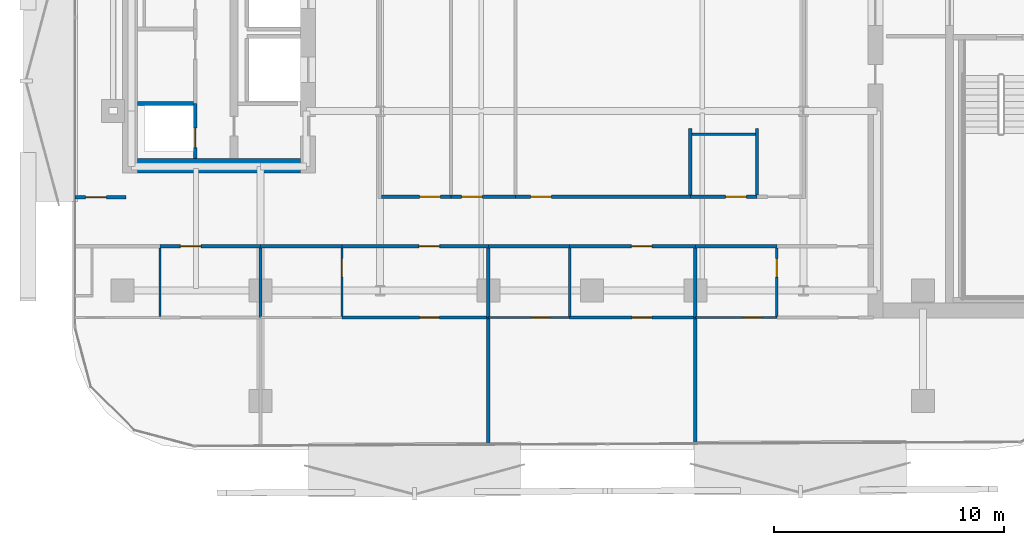
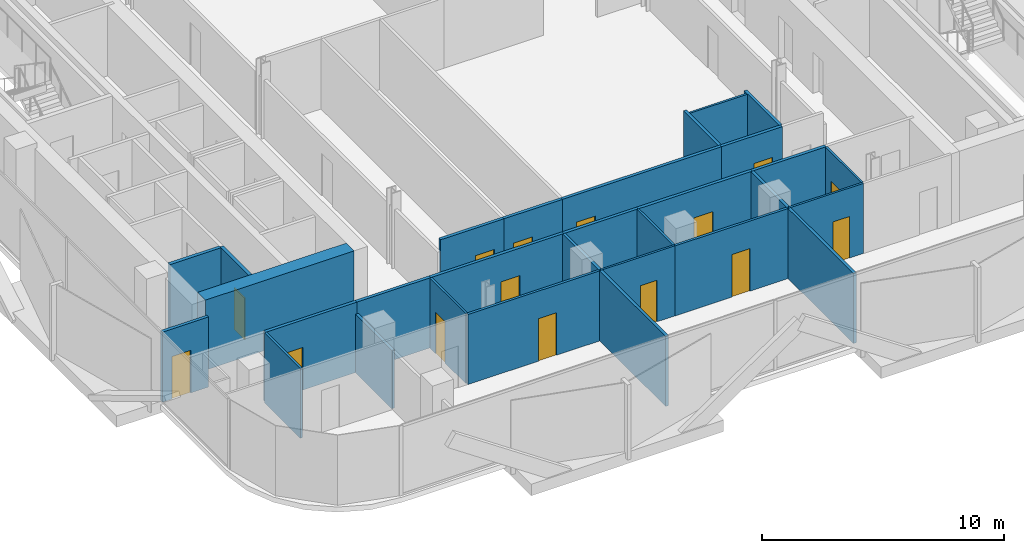
# One storey, part 3 of 17: 30 walls, 15 doors, 15 openings.
"""IFC4 building model written with IfcOpenShell, lengths in metres."""

from ifc_helpers import new_model, si_unit, direction, frame, frame_2d, origin, place, context, subcontext, project, spatial, rectangle, extrude, material, layer, layer_set, type_object, element, fill, save


model = new_model("IFC4")

# Units and contexts
model_context = context("Model", 3, precision=1e-05, world=origin(), true_north=direction((0.0, 1.0)))
body_context = subcontext(model_context, "Body", "Model", "MODEL_VIEW")
ifc_project = project(units=[si_unit("LENGTHUNIT", "METRE"), si_unit("AREAUNIT", "SQUARE_METRE"), si_unit("VOLUMEUNIT", "CUBIC_METRE"), si_unit("PLANEANGLEUNIT", "RADIAN"), si_unit("MASSUNIT", "GRAM", prefix="KILO")], contexts=[model_context])

# Site, building, storey
site_placement = place(None, origin())
site = spatial("IfcSite", under=ifc_project, at=site_placement, CompositionType="ELEMENT")
building_placement = place(site_placement, origin())
building = spatial("IfcBuilding", under=site, at=building_placement, Name="Khairoan Windgate Tower", CompositionType="ELEMENT")
storey_placement = place(building_placement, frame((0.0, 0.0, 180.199951171875)))
storey = spatial("IfcBuildingStorey", under=building, at=storey_placement, Name="L41", CompositionType="ELEMENT", Elevation=180.199951171875)

# Wall
ifc_material_1 = material(Name="Moisture-Resistant Gypsum Partition", Category="gypsum")
ifc_layer_1 = layer(ifc_material_1, 0.10009765625, Name="Moisture-Resistant Gypsum Partition")
ifc_layer_set_1 = layer_set([ifc_layer_1], Name="Moisture-Resistant Gypsum Partition")
wall_type_1 = type_object("IfcWallType", Name="Bathroom Wet-Area Partition Wall", PredefinedType="PARTITIONING", material=ifc_layer_set_1)
wall_1_placement = place(storey_placement, frame((-18.763916015625, -19.719970703125, 0.0), z_axis=(0.0, 0.0, 1.0), x_axis=(0.0, 1.0, 0.0)))
element("IfcWall", 1, at=wall_1_placement, inside=storey, type_object=wall_type_1, Name="L41 Interior Partition 076", PredefinedType="PARTITIONING", context=body_context, shape_type="SweptSolid", body=[
    extrude(rectangle(XDim=2.965087890625, YDim=0.10009765625, at=frame_2d((1.482421875, 0.0))), origin(), (0.0, 0.0, 1.0), 3.5400390625),
])

# Wall, opening, door
wall_2_placement = place(storey_placement, frame((-10.860107421875, -19.719970703125, 0.0), z_axis=(0.0, 0.0, 1.0), x_axis=(0.0, 1.0, 0.0)))
wall_2 = element("IfcWall", 2, at=wall_2_placement, inside=storey, type_object=wall_type_1, Name="L41 Interior Partition 081", PredefinedType="PARTITIONING", context=body_context, shape_type="SweptSolid", body=[
    extrude(rectangle(XDim=2.965087890625, YDim=0.10009765625, at=frame_2d((1.482421875, 0.0))), origin(), (0.0, 0.0, 1.0), 3.5400390625),
])
opening_1_placement = place(wall_2_placement, frame((1.705078125, 0.0, 0.0)))
opening_1 = element("IfcOpeningElement", 3, at=opening_1_placement, cuts=wall_2, Name="Opening ID-BTH", PredefinedType="OPENING", context=body_context, shape_type="SweptSolid", body=[
    extrude(rectangle(XDim=0.800048828125, YDim=2.10009765625, at=frame_2d((0.39990234375, 1.050048828125))), frame((0.0, 0.06005859375, 0.0), z_axis=(0.0, -1.0, 0.0), x_axis=(1.0, 0.0, 0.0)), (0.0, 0.0, 1.0), 0.1201171875),
])
ifc_material_2 = material(Name="Teak Veneer Timber Leaf", Category="wood")
door_type_1 = type_object("IfcDoorType", Name="Internal Bathroom Door ID-BTH 800x2100", OperationType="NOTDEFINED", PredefinedType="DOOR", material=ifc_material_2)
door_1_placement = place(opening_1_placement, origin())
door_1 = element("IfcDoor", 4, at=door_1_placement, inside=storey, type_object=door_type_1, Name="L41 L41-57-L41-58 Door", OperationType="SINGLE_SWING_RIGHT", OverallHeight=2.10009765625, OverallWidth=0.800048828125, PredefinedType="DOOR", context=body_context, shape_type="SweptSolid", body=[
    extrude(rectangle(XDim=0.800048828125, YDim=2.10009765625, at=frame_2d((0.39990234375, 1.050048828125))), frame((0.0, 0.02490234375, 0.0), z_axis=(0.0, -1.0, 0.0), x_axis=(1.0, 0.0, 0.0)), (0.0, 0.0, 1.0), 0.050048828125),
])
fill(opening_1, door_1)

# Wall
wall_3_placement = place(storey_placement, frame((-0.9599609375, -19.719970703125, 0.0), z_axis=(0.0, 0.0, 1.0), x_axis=(0.0, 1.0, 0.0)))
element("IfcWall", 5, at=wall_3_placement, inside=storey, type_object=wall_type_1, Name="L41 Interior Partition 086", PredefinedType="PARTITIONING", context=body_context, shape_type="SweptSolid", body=[
    extrude(rectangle(XDim=2.965087890625, YDim=0.10009765625, at=frame_2d((1.482421875, 0.0))), origin(), (0.0, 0.0, 1.0), 3.5400390625),
])

# Wall, opening, door
wall_4_placement = place(storey_placement, frame((-4.5, -19.77001953125, 0.0), z_axis=(0.0, 0.0, 1.0), x_axis=(1.0, 0.0, 0.0)))
wall_4 = element("IfcWall", 6, at=wall_4_placement, inside=storey, type_object=wall_type_1, Name="L41 Interior Partition 087", PredefinedType="PARTITIONING", context=body_context, shape_type="SweptSolid", body=[
    extrude(rectangle(XDim=3.5400390625, YDim=0.10009765625, at=frame_2d((1.77001953125, 0.0))), origin(), (0.0, 0.0, 1.0), 3.5400390625),
])
opening_2_placement = place(wall_4_placement, frame((1.87548828125, 0.0, 0.0)))
opening_2 = element("IfcOpeningElement", 7, at=opening_2_placement, cuts=wall_4, Name="Opening ID-BTH", PredefinedType="OPENING", context=body_context, shape_type="SweptSolid", body=[
    extrude(rectangle(XDim=0.800048828125, YDim=2.10009765625, at=frame_2d((0.39990234375, 1.050048828125))), frame((0.0, 0.06005859375, 0.0), z_axis=(0.0, -1.0, 0.0), x_axis=(1.0, 0.0, 0.0)), (0.0, 0.0, 1.0), 0.1201171875),
])
door_2_placement = place(opening_2_placement, origin())
door_2 = element("IfcDoor", 8, at=door_2_placement, inside=storey, type_object=door_type_1, Name="L41 L41-60-L41-62 Door", OperationType="SINGLE_SWING_RIGHT", OverallHeight=2.10009765625, OverallWidth=0.800048828125, PredefinedType="DOOR", context=body_context, shape_type="SweptSolid", body=[
    extrude(rectangle(XDim=0.800048828125, YDim=2.10009765625, at=frame_2d((0.39990234375, 1.050048828125))), frame((0.0, 0.02490234375, 0.0), z_axis=(0.0, -1.0, 0.0), x_axis=(1.0, 0.0, 0.0)), (0.0, 0.0, 1.0), 0.050048828125),
])
fill(opening_2, door_2)

wall_5_placement = place(storey_placement, frame((8.0400390625, -19.719970703125, 0.0), z_axis=(0.0, 0.0, 1.0), x_axis=(0.0, 1.0, 0.0)))
wall_5 = element("IfcWall", 9, at=wall_5_placement, inside=storey, type_object=wall_type_1, Name="L41 Interior Partition 091", PredefinedType="PARTITIONING", context=body_context, shape_type="SweptSolid", body=[
    extrude(rectangle(XDim=2.965087890625, YDim=0.10009765625, at=frame_2d((1.482421875, 0.0))), origin(), (0.0, 0.0, 1.0), 3.5400390625),
])
opening_3_placement = place(wall_5_placement, frame((1.705078125, 0.0, 0.0)))
opening_3 = element("IfcOpeningElement", 10, at=opening_3_placement, cuts=wall_5, Name="Opening ID-BTH", PredefinedType="OPENING", context=body_context, shape_type="SweptSolid", body=[
    extrude(rectangle(XDim=0.800048828125, YDim=2.10009765625, at=frame_2d((0.39990234375, 1.050048828125))), frame((0.0, 0.06005859375, 0.0), z_axis=(0.0, -1.0, 0.0), x_axis=(1.0, 0.0, 0.0)), (0.0, 0.0, 1.0), 0.1201171875),
])
door_3_placement = place(opening_3_placement, origin())
door_3 = element("IfcDoor", 11, at=door_3_placement, inside=storey, type_object=door_type_1, Name="L41 L41-63-L41-64 Door", OperationType="SINGLE_SWING_RIGHT", OverallHeight=2.10009765625, OverallWidth=0.800048828125, PredefinedType="DOOR", context=body_context, shape_type="SweptSolid", body=[
    extrude(rectangle(XDim=0.800048828125, YDim=2.10009765625, at=frame_2d((0.39990234375, 1.050048828125))), frame((0.0, 0.02490234375, 0.0), z_axis=(0.0, -1.0, 0.0), x_axis=(1.0, 0.0, 0.0)), (0.0, 0.0, 1.0), 0.050048828125),
])
fill(opening_3, door_3)

wall_6_placement = place(storey_placement, frame((4.5, -19.77001953125, 0.0), z_axis=(0.0, 0.0, 1.0), x_axis=(1.0, 0.0, 0.0)))
wall_6 = element("IfcWall", 12, at=wall_6_placement, inside=storey, type_object=wall_type_1, Name="L41 Interior Partition 092", PredefinedType="PARTITIONING", context=body_context, shape_type="SweptSolid", body=[
    extrude(rectangle(XDim=3.5400390625, YDim=0.10009765625, at=frame_2d((1.77001953125, 0.0))), origin(), (0.0, 0.0, 1.0), 3.5400390625),
])
opening_4_placement = place(wall_6_placement, frame((2.077880859375, 0.0, 0.0)))
opening_4 = element("IfcOpeningElement", 13, at=opening_4_placement, cuts=wall_6, Name="Opening ID-BTH", PredefinedType="OPENING", context=body_context, shape_type="SweptSolid", body=[
    extrude(rectangle(XDim=0.800048828125, YDim=2.10009765625, at=frame_2d((0.39990234375, 1.050048828125))), frame((0.0, 0.06005859375, 0.0), z_axis=(0.0, -1.0, 0.0), x_axis=(1.0, 0.0, 0.0)), (0.0, 0.0, 1.0), 0.1201171875),
])
door_4_placement = place(opening_4_placement, origin())
door_4 = element("IfcDoor", 14, at=door_4_placement, inside=storey, type_object=door_type_1, Name="L41 L41-63-L41-65 Door", OperationType="SINGLE_SWING_LEFT", OverallHeight=2.10009765625, OverallWidth=0.800048828125, PredefinedType="DOOR", context=body_context, shape_type="SweptSolid", body=[
    extrude(rectangle(XDim=0.800048828125, YDim=2.10009765625, at=frame_2d((0.39990234375, 1.050048828125))), frame((0.0, 0.02490234375, 0.0), z_axis=(0.0, -1.0, 0.0), x_axis=(1.0, 0.0, 0.0)), (0.0, 0.0, 1.0), 0.050048828125),
])
fill(opening_4, door_4)

# Walls
wall_7_placement = place(storey_placement, frame((4.35009765625, -11.800048828125, 0.0), z_axis=(0.0, 0.0, 1.0), x_axis=(1.0, 0.0, 0.0)))
element("IfcWall", 15, at=wall_7_placement, inside=storey, type_object=wall_type_1, Name="L41 Wet Room Side Wall 097", PredefinedType="PARTITIONING", context=body_context, shape_type="SweptSolid", body=[
    extrude(rectangle(XDim=2.760009765625, YDim=0.10009765625, at=frame_2d((1.3798828125, 0.0))), origin(), (0.0, 0.0, 1.0), 3.5400390625),
])
ifc_material_3 = material(Name="Acoustic Fire-Rated Gypsum Partition", Category="gypsum")
ifc_layer_2 = layer(ifc_material_3, 0.139892578125, Name="Acoustic Fire-Rated Gypsum Partition")
ifc_layer_set_2 = layer_set([ifc_layer_2], Name="Acoustic Fire-Rated Gypsum Partition")
wall_type_2 = type_object("IfcWallType", Name="Inter-Tenancy Compartment Wall", PredefinedType="PARTITIONING", material=ifc_layer_set_2)
for number, where, z_axis, x_axis, name in (
    (16, (4.280029296875, -14.445068359375, 0.0), (0.0, 0.0, 1.0), (0.0, 1.0, 0.0), "L41 Interior Partition 049"),
    (17, (7.179931640625, -14.445068359375, 0.0), (0.0, 0.0, 1.0), (0.0, 1.0, 0.0), "L41 Interior Partition 052"),
):
    element("IfcWall", number, at=place(storey_placement, frame(where, z_axis=z_axis, x_axis=x_axis)), inside=storey, type_object=wall_type_2, Name=name, PredefinedType="PARTITIONING", context=body_context, shape_type="SweptSolid", body=[
        extrude(rectangle(XDim=2.885009765625, YDim=0.139892578125, at=frame_2d((1.4423828125, 0.0))), origin(), (0.0, 0.0, 1.0), 3.5400390625),
    ])
wall_8_placement = place(storey_placement, frame((-14.39990234375, -19.77001953125, 0.0), z_axis=(0.0, 0.0, 1.0), x_axis=(0.0, 1.0, 0.0)))
element("IfcWall", 18, at=wall_8_placement, inside=storey, type_object=wall_type_2, Name="L41 Interior Partition 079", PredefinedType="PARTITIONING", context=body_context, shape_type="SweptSolid", body=[
    extrude(rectangle(XDim=3.01513671875, YDim=0.139892578125, at=frame_2d((1.507568359375, 0.0))), origin(), (0.0, 0.0, 1.0), 2.9521484375),
])
wall_9_placement = place(storey_placement, frame((-4.5, -19.77001953125, 0.0), z_axis=(0.0, 0.0, 1.0), x_axis=(0.0, 1.0, 0.0)))
element("IfcWall", 19, at=wall_9_placement, inside=storey, type_object=wall_type_2, Name="L41 Interior Partition 084", PredefinedType="PARTITIONING", context=body_context, shape_type="SweptSolid", body=[
    extrude(rectangle(XDim=3.01513671875, YDim=0.139892578125, at=frame_2d((1.507568359375, 0.0))), origin(), (0.0, 0.0, 1.0), 3.5400390625),
])
wall_10_placement = place(storey_placement, frame((-4.5, -25.2919921875, 0.0), z_axis=(0.0, 0.0, 1.0), x_axis=(0.0, 1.0, 0.0)))
element("IfcWall", 20, at=wall_10_placement, inside=storey, type_object=wall_type_2, Name="L41 Interior Partition 085", PredefinedType="PARTITIONING", context=body_context, shape_type="SweptSolid", body=[
    extrude(rectangle(XDim=5.52197265625, YDim=0.139892578125, at=frame_2d((2.760986328125, 0.0))), origin(), (0.0, 0.0, 1.0), 3.5400390625),
])
wall_11_placement = place(storey_placement, frame((4.5, -19.77001953125, 0.0), z_axis=(0.0, 0.0, 1.0), x_axis=(0.0, 1.0, 0.0)))
element("IfcWall", 21, at=wall_11_placement, inside=storey, type_object=wall_type_2, Name="L41 Interior Partition 089", PredefinedType="PARTITIONING", context=body_context, shape_type="SweptSolid", body=[
    extrude(rectangle(XDim=3.01513671875, YDim=0.139892578125, at=frame_2d((1.507568359375, 0.0))), origin(), (0.0, 0.0, 1.0), 3.5400390625),
])
wall_12_placement = place(storey_placement, frame((4.5, -25.24755859375, 0.0), z_axis=(0.0, 0.0, 1.0), x_axis=(0.0, 1.0, 0.0)))
element("IfcWall", 22, at=wall_12_placement, inside=storey, type_object=wall_type_2, Name="L41 Interior Partition 090", PredefinedType="PARTITIONING", context=body_context, shape_type="SweptSolid", body=[
    extrude(rectangle(XDim=5.4775390625, YDim=0.139892578125, at=frame_2d((2.73876953125, 0.0))), origin(), (0.0, 0.0, 1.0), 3.5400390625),
])

# Wall, opening, door
ifc_material_4 = material(Name="Gypsum Stud Partition", Category="gypsum")
ifc_layer_3 = layer(ifc_material_4, 0.1201171875, Name="Gypsum Stud Partition")
ifc_layer_set_3 = layer_set([ifc_layer_3], Name="Gypsum Stud Partition")
wall_type_3 = type_object("IfcWallType", Name="Internal Room Partition Wall", PredefinedType="PARTITIONING", material=ifc_layer_set_3)
wall_13_placement = place(storey_placement, frame((-10.860107421875, -19.77001953125, 0.0), z_axis=(0.0, 0.0, 1.0), x_axis=(1.0, 0.0, 0.0)))
wall_13 = element("IfcWall", 23, at=wall_13_placement, inside=storey, type_object=wall_type_3, Name="L41 Interior Partition 083", PredefinedType="PARTITIONING", context=body_context, shape_type="SweptSolid", body=[
    extrude(rectangle(XDim=6.360107421875, YDim=0.1201171875, at=frame_2d((3.18017578125, 0.0))), origin(), (0.0, 0.0, 1.0), 3.5400390625),
])
opening_5_placement = place(wall_13_placement, frame((3.37451171875, 0.0, 0.0)))
opening_5 = element("IfcOpeningElement", 24, at=opening_5_placement, cuts=wall_13, Name="Opening ID-RM", PredefinedType="OPENING", context=body_context, shape_type="SweptSolid", body=[
    extrude(rectangle(XDim=0.860107421875, YDim=2.14990234375, at=frame_2d((0.43017578125, 1.074951171875))), frame((0.0, 0.070068359375, 0.0), z_axis=(0.0, -1.0, 0.0), x_axis=(1.0, 0.0, 0.0)), (0.0, 0.0, 1.0), 0.14013671875),
])
ifc_material_5 = material(Name="Teak Veneer Timber Leaf", Category="wood")
door_type_2 = type_object("IfcDoorType", Name="Internal Bedroom and Office Door ID-RM 860x2150", OperationType="NOTDEFINED", PredefinedType="DOOR", material=ifc_material_5)
door_5_placement = place(opening_5_placement, origin())
door_5 = element("IfcDoor", 25, at=door_5_placement, inside=storey, type_object=door_type_2, Name="L41 L41-58-L41-59 Door", OperationType="SINGLE_SWING_RIGHT", OverallHeight=2.14990234375, OverallWidth=0.860107421875, PredefinedType="DOOR", context=body_context, shape_type="SweptSolid", body=[
    extrude(rectangle(XDim=0.860107421875, YDim=2.14990234375, at=frame_2d((0.43017578125, 1.074951171875))), frame((0.0, 0.02490234375, 0.0), z_axis=(0.0, -1.0, 0.0), x_axis=(1.0, 0.0, 0.0)), (0.0, 0.0, 1.0), 0.050048828125),
])
fill(opening_5, door_5)

wall_14_placement = place(storey_placement, frame((-0.9599609375, -19.77001953125, 0.0), z_axis=(0.0, 0.0, 1.0), x_axis=(1.0, 0.0, 0.0)))
wall_14 = element("IfcWall", 26, at=wall_14_placement, inside=storey, type_object=wall_type_3, Name="L41 Interior Partition 088", PredefinedType="PARTITIONING", context=body_context, shape_type="SweptSolid", body=[
    extrude(rectangle(XDim=5.4599609375, YDim=0.1201171875, at=frame_2d((2.72998046875, 0.0))), origin(), (0.0, 0.0, 1.0), 3.5400390625),
])
opening_6_placement = place(wall_14_placement, frame((2.708984375, 0.0, 0.0)))
opening_6 = element("IfcOpeningElement", 27, at=opening_6_placement, cuts=wall_14, Name="Opening ID-RM", PredefinedType="OPENING", context=body_context, shape_type="SweptSolid", body=[
    extrude(rectangle(XDim=0.860107421875, YDim=2.14990234375, at=frame_2d((0.43017578125, 1.074951171875))), frame((0.0, 0.070068359375, 0.0), z_axis=(0.0, -1.0, 0.0), x_axis=(1.0, 0.0, 0.0)), (0.0, 0.0, 1.0), 0.14013671875),
])
door_6_placement = place(opening_6_placement, origin())
door_6 = element("IfcDoor", 28, at=door_6_placement, inside=storey, type_object=door_type_2, Name="L41 L41-61-L41-62 Door", OperationType="SINGLE_SWING_LEFT", OverallHeight=2.14990234375, OverallWidth=0.860107421875, PredefinedType="DOOR", context=body_context, shape_type="SweptSolid", body=[
    extrude(rectangle(XDim=0.860107421875, YDim=2.14990234375, at=frame_2d((0.43017578125, 1.074951171875))), frame((0.0, 0.02490234375, 0.0), z_axis=(0.0, -1.0, 0.0), x_axis=(1.0, 0.0, 0.0)), (0.0, 0.0, 1.0), 0.050048828125),
])
fill(opening_6, door_6)

ifc_material_6 = material(Name="Concrete C40/50", Category="concrete")
ifc_layer_4 = layer(ifc_material_6, 0.159912109375, Name="Concrete C40/50")
ifc_layer_set_4 = layer_set([ifc_layer_4], Name="Concrete C40/50")
wall_type_4 = type_object("IfcWallType", Name="Plant and Refuge Compartment Wall", PredefinedType="PARTITIONING", material=ifc_layer_set_4)
wall_15_placement = place(storey_placement, frame((-17.22998046875, -12.85009765625, 0.0), z_axis=(0.0, 0.0, 1.0), x_axis=(0.0, 1.0, 0.0)))
wall_15 = element("IfcWall", 29, at=wall_15_placement, inside=storey, type_object=wall_type_4, Name="L41 Interior Partition 001", PredefinedType="PARTITIONING", context=body_context, shape_type="SweptSolid", body=[
    extrude(rectangle(XDim=2.380126953125, YDim=0.159912109375, at=frame_2d((1.18994140625, 0.0))), origin(), (0.0, 0.0, 1.0), 3.5400390625),
])
opening_7_placement = place(wall_15_placement, frame((0.4599609375, 0.0, 0.0)))
opening_7 = element("IfcOpeningElement", 30, at=opening_7_placement, cuts=wall_15, Name="Opening FD-SRV", PredefinedType="OPENING", context=body_context, shape_type="SweptSolid", body=[
    extrude(rectangle(XDim=0.85009765625, YDim=2.10009765625, at=frame_2d((0.425048828125, 1.050048828125))), frame((0.0, 0.08984375, 0.0), z_axis=(0.0, -1.0, 0.0), x_axis=(1.0, 0.0, 0.0)), (0.0, 0.0, 1.0), 0.179931640625),
])
ifc_material_7 = material(Name="Steel S355", Category="steel")
door_type_3 = type_object("IfcDoorType", Name="Core Service and Riser Fire Door FD-SRV 850x2100", OperationType="NOTDEFINED", PredefinedType="DOOR", material=ifc_material_7)
door_7_placement = place(opening_7_placement, origin())
door_7 = element("IfcDoor", 31, at=door_7_placement, inside=storey, type_object=door_type_3, Name="L41 L41-04-L41-05 Door", OperationType="SINGLE_SWING_RIGHT", OverallHeight=2.10009765625, OverallWidth=0.85009765625, PredefinedType="DOOR", context=body_context, shape_type="SweptSolid", body=[
    extrude(rectangle(XDim=0.85009765625, YDim=2.10009765625, at=frame_2d((0.425048828125, 1.050048828125))), frame((0.0, 0.02490234375, 0.0), z_axis=(0.0, -1.0, 0.0), x_axis=(1.0, 0.0, 0.0)), (0.0, 0.0, 1.0), 0.050048828125),
])
fill(opening_7, door_7)

# Wall
wall_16_placement = place(storey_placement, frame((-19.75, -10.469970703125, 0.0), z_axis=(0.0, 0.0, 1.0), x_axis=(1.0, 0.0, 0.0)))
element("IfcWall", 32, at=wall_16_placement, inside=storey, type_object=wall_type_4, Name="L41 Interior Partition 004", PredefinedType="PARTITIONING", context=body_context, shape_type="SweptSolid", body=[
    extrude(rectangle(XDim=2.43994140625, YDim=0.159912109375, at=frame_2d((1.219970703125, 0.0))), origin(), (0.0, 0.0, 1.0), 3.5400390625),
])

# Wall, opening, door
ifc_material_8 = material(Name="Acoustic Fire-Rated Gypsum Partition", Category="gypsum")
ifc_layer_5 = layer(ifc_material_8, 0.14990234375, Name="Acoustic Fire-Rated Gypsum Partition")
ifc_layer_set_5 = layer_set([ifc_layer_5], Name="Acoustic Fire-Rated Gypsum Partition")
wall_type_5 = type_object("IfcWallType", Name="Rated Corridor Partition Wall", PredefinedType="PARTITIONING", material=ifc_layer_set_5)
wall_17_placement = place(storey_placement, frame((-9.14501953125, -14.52001953125, 0.0), z_axis=(0.0, 0.0, 1.0), x_axis=(1.0, 0.0, 0.0)))
wall_17 = element("IfcWall", 33, at=wall_17_placement, inside=storey, type_object=wall_type_5, Name="L41 Interior Partition 031", PredefinedType="PARTITIONING", context=body_context, shape_type="SweptSolid", body=[
    extrude(rectangle(XDim=3.02490234375, YDim=0.14990234375, at=frame_2d((1.512451171875, 0.0))), origin(), (0.0, 0.0, 1.0), 3.5400390625),
])
opening_8_placement = place(wall_17_placement, frame((1.6650390625, 0.0, 0.0)))
opening_8 = element("IfcOpeningElement", 34, at=opening_8_placement, cuts=wall_17, Name="Opening FD-ENT", PredefinedType="OPENING", context=body_context, shape_type="SweptSolid", body=[
    extrude(rectangle(XDim=0.89990234375, YDim=2.14990234375, at=frame_2d((0.449951171875, 1.074951171875))), frame((0.0, 0.0849609375, 0.0), z_axis=(0.0, -1.0, 0.0), x_axis=(1.0, 0.0, 0.0)), (0.0, 0.0, 1.0), 0.169921875),
])
ifc_material_9 = material(Name="Timber Fire-Rated Core", Category="wood")
door_type_4 = type_object("IfcDoorType", Name="Unit and Office Fire Entrance Door FD-ENT 900x2150", OperationType="NOTDEFINED", PredefinedType="DOOR", material=ifc_material_9)
door_8_placement = place(opening_8_placement, origin())
door_8 = element("IfcDoor", 35, at=door_8_placement, inside=storey, type_object=door_type_4, Name="L41 L41-31-L41-32 Door", OperationType="SINGLE_SWING_RIGHT", OverallHeight=2.14990234375, OverallWidth=0.89990234375, PredefinedType="DOOR", context=body_context, shape_type="SweptSolid", body=[
    extrude(rectangle(XDim=0.89990234375, YDim=2.14990234375, at=frame_2d((0.449951171875, 1.074951171875))), frame((0.0, 0.02490234375, 0.0), z_axis=(0.0, -1.0, 0.0), x_axis=(1.0, 0.0, 0.0)), (0.0, 0.0, 1.0), 0.050048828125),
])
fill(opening_8, door_8)

wall_18_placement = place(storey_placement, frame((-6.1201171875, -14.52001953125, 0.0), z_axis=(0.0, 0.0, 1.0), x_axis=(1.0, 0.0, 0.0)))
wall_18 = element("IfcWall", 36, at=wall_18_placement, inside=storey, type_object=wall_type_5, Name="L41 Interior Partition 032", PredefinedType="PARTITIONING", context=body_context, shape_type="SweptSolid", body=[
    extrude(rectangle(XDim=2.800048828125, YDim=0.14990234375, at=frame_2d((1.39990234375, 0.0))), origin(), (0.0, 0.0, 1.0), 3.5400390625),
])
opening_9_placement = place(wall_18_placement, frame((0.4599609375, 0.0, 0.0)))
opening_9 = element("IfcOpeningElement", 37, at=opening_9_placement, cuts=wall_18, Name="Opening FD-ENT", PredefinedType="OPENING", context=body_context, shape_type="SweptSolid", body=[
    extrude(rectangle(XDim=0.89990234375, YDim=2.14990234375, at=frame_2d((0.449951171875, 1.074951171875))), frame((0.0, 0.0849609375, 0.0), z_axis=(0.0, -1.0, 0.0), x_axis=(1.0, 0.0, 0.0)), (0.0, 0.0, 1.0), 0.169921875),
])
door_9_placement = place(opening_9_placement, origin())
door_9 = element("IfcDoor", 38, at=door_9_placement, inside=storey, type_object=door_type_4, Name="L41 L41-31-L41-33 Door", OperationType="SINGLE_SWING_LEFT", OverallHeight=2.14990234375, OverallWidth=0.89990234375, PredefinedType="DOOR", context=body_context, shape_type="SweptSolid", body=[
    extrude(rectangle(XDim=0.89990234375, YDim=2.14990234375, at=frame_2d((0.449951171875, 1.074951171875))), frame((0.0, 0.02490234375, 0.0), z_axis=(0.0, -1.0, 0.0), x_axis=(1.0, 0.0, 0.0)), (0.0, 0.0, 1.0), 0.050048828125),
])
fill(opening_9, door_9)

wall_19_placement = place(storey_placement, frame((-3.320068359375, -14.52001953125, 0.0), z_axis=(0.0, 0.0, 1.0), x_axis=(1.0, 0.0, 0.0)))
wall_19 = element("IfcWall", 39, at=wall_19_placement, inside=storey, type_object=wall_type_5, Name="L41 Interior Partition 033", PredefinedType="PARTITIONING", context=body_context, shape_type="SweptSolid", body=[
    extrude(rectangle(XDim=7.60009765625, YDim=0.14990234375, at=frame_2d((3.800048828125, 0.0))), origin(), (0.0, 0.0, 1.0), 3.5400390625),
])
opening_10_placement = place(wall_19_placement, frame((0.66650390625, 0.0, 0.0)))
opening_10 = element("IfcOpeningElement", 40, at=opening_10_placement, cuts=wall_19, Name="Opening FD-ENT", PredefinedType="OPENING", context=body_context, shape_type="SweptSolid", body=[
    extrude(rectangle(XDim=0.89990234375, YDim=2.14990234375, at=frame_2d((0.449951171875, 1.074951171875))), frame((0.0, 0.0849609375, 0.0), z_axis=(0.0, -1.0, 0.0), x_axis=(1.0, 0.0, 0.0)), (0.0, 0.0, 1.0), 0.169921875),
])
door_10_placement = place(opening_10_placement, origin())
door_10 = element("IfcDoor", 41, at=door_10_placement, inside=storey, type_object=door_type_4, Name="L41 L41-31-L41-34 Door", OperationType="SINGLE_SWING_RIGHT", OverallHeight=2.14990234375, OverallWidth=0.89990234375, PredefinedType="DOOR", context=body_context, shape_type="SweptSolid", body=[
    extrude(rectangle(XDim=0.89990234375, YDim=2.14990234375, at=frame_2d((0.449951171875, 1.074951171875))), frame((0.0, 0.02490234375, 0.0), z_axis=(0.0, -1.0, 0.0), x_axis=(1.0, 0.0, 0.0)), (0.0, 0.0, 1.0), 0.050048828125),
])
fill(opening_10, door_10)

wall_20_placement = place(storey_placement, frame((4.280029296875, -14.52001953125, 0.0), z_axis=(0.0, 0.0, 1.0), x_axis=(1.0, 0.0, 0.0)))
wall_20 = element("IfcWall", 42, at=wall_20_placement, inside=storey, type_object=wall_type_5, Name="L41 Interior Partition 034", PredefinedType="PARTITIONING", context=body_context, shape_type="SweptSolid", body=[
    extrude(rectangle(XDim=2.89990234375, YDim=0.14990234375, at=frame_2d((1.449951171875, 0.0))), origin(), (0.0, 0.0, 1.0), 3.5400390625),
])
opening_11_placement = place(wall_20_placement, frame((1.5400390625, 0.0, 0.0)))
opening_11 = element("IfcOpeningElement", 43, at=opening_11_placement, cuts=wall_20, Name="Opening FD-ENT", PredefinedType="OPENING", context=body_context, shape_type="SweptSolid", body=[
    extrude(rectangle(XDim=0.89990234375, YDim=2.14990234375, at=frame_2d((0.449951171875, 1.074951171875))), frame((0.0, 0.0849609375, 0.0), z_axis=(0.0, -1.0, 0.0), x_axis=(1.0, 0.0, 0.0)), (0.0, 0.0, 1.0), 0.169921875),
])
door_11_placement = place(opening_11_placement, origin())
door_11 = element("IfcDoor", 44, at=door_11_placement, inside=storey, type_object=door_type_4, Name="L41 L41-31-L41-35 Door", OperationType="SINGLE_SWING_LEFT", OverallHeight=2.14990234375, OverallWidth=0.89990234375, PredefinedType="DOOR", context=body_context, shape_type="SweptSolid", body=[
    extrude(rectangle(XDim=0.89990234375, YDim=2.14990234375, at=frame_2d((0.449951171875, 1.074951171875))), frame((0.0, 0.02490234375, 0.0), z_axis=(0.0, -1.0, 0.0), x_axis=(1.0, 0.0, 0.0)), (0.0, 0.0, 1.0), 0.050048828125),
])
fill(opening_11, door_11)

wall_21_placement = place(storey_placement, frame((-18.763916015625, -16.679931640625, 0.0), z_axis=(0.0, 0.0, 1.0), x_axis=(1.0, 0.0, 0.0)))
wall_21 = element("IfcWall", 45, at=wall_21_placement, inside=storey, type_object=wall_type_5, Name="L41 Interior Partition 037", PredefinedType="PARTITIONING", context=body_context, shape_type="SweptSolid", body=[
    extrude(rectangle(XDim=4.364013671875, YDim=0.14990234375, at=frame_2d((2.18212890625, 0.0))), origin(), (0.0, 0.0, 1.0), 3.5400390625),
])
opening_12_placement = place(wall_21_placement, frame((0.884033203125, 0.0, 0.0)))
opening_12 = element("IfcOpeningElement", 46, at=opening_12_placement, cuts=wall_21, Name="Opening FD-ENT", PredefinedType="OPENING", context=body_context, shape_type="SweptSolid", body=[
    extrude(rectangle(XDim=0.89990234375, YDim=2.14990234375, at=frame_2d((0.449951171875, 1.074951171875))), frame((0.0, 0.0849609375, 0.0), z_axis=(0.0, -1.0, 0.0), x_axis=(1.0, 0.0, 0.0)), (0.0, 0.0, 1.0), 0.169921875),
])
door_12_placement = place(opening_12_placement, origin())
door_12 = element("IfcDoor", 47, at=door_12_placement, inside=storey, type_object=door_type_4, Name="L41 L41-31-L41-55 Door", OperationType="SINGLE_SWING_LEFT", OverallHeight=2.14990234375, OverallWidth=0.89990234375, PredefinedType="DOOR", context=body_context, shape_type="SweptSolid", body=[
    extrude(rectangle(XDim=0.89990234375, YDim=2.14990234375, at=frame_2d((0.449951171875, 1.074951171875))), frame((0.0, 0.02490234375, 0.0), z_axis=(0.0, -1.0, 0.0), x_axis=(1.0, 0.0, 0.0)), (0.0, 0.0, 1.0), 0.050048828125),
])
fill(opening_12, door_12)

# Wall
wall_22_placement = place(storey_placement, frame((-14.39990234375, -16.679931640625, 0.0), z_axis=(0.0, 0.0, 1.0), x_axis=(1.0, 0.0, 0.0)))
element("IfcWall", 48, at=wall_22_placement, inside=storey, type_object=wall_type_5, Name="L41 Interior Partition 038", PredefinedType="PARTITIONING", context=body_context, shape_type="SweptSolid", body=[
    extrude(rectangle(XDim=3.539794921875, YDim=0.14990234375, at=frame_2d((1.77001953125, 0.0))), origin(), (0.0, 0.0, 1.0), 3.5400390625),
])

# Wall, opening, door
wall_23_placement = place(storey_placement, frame((-10.860107421875, -16.679931640625, 0.0), z_axis=(0.0, 0.0, 1.0), x_axis=(1.0, 0.0, 0.0)))
wall_23 = element("IfcWall", 49, at=wall_23_placement, inside=storey, type_object=wall_type_5, Name="L41 Interior Partition 039", PredefinedType="PARTITIONING", context=body_context, shape_type="SweptSolid", body=[
    extrude(rectangle(XDim=6.360107421875, YDim=0.14990234375, at=frame_2d((3.18017578125, 0.0))), origin(), (0.0, 0.0, 1.0), 3.5400390625),
])
opening_13_placement = place(wall_23_placement, frame((3.34912109375, 0.0, 0.0)))
opening_13 = element("IfcOpeningElement", 50, at=opening_13_placement, cuts=wall_23, Name="Opening FD-ENT", PredefinedType="OPENING", context=body_context, shape_type="SweptSolid", body=[
    extrude(rectangle(XDim=0.89990234375, YDim=2.14990234375, at=frame_2d((0.449951171875, 1.074951171875))), frame((0.0, 0.0849609375, 0.0), z_axis=(0.0, -1.0, 0.0), x_axis=(1.0, 0.0, 0.0)), (0.0, 0.0, 1.0), 0.169921875),
])
door_13_placement = place(opening_13_placement, origin())
door_13 = element("IfcDoor", 51, at=door_13_placement, inside=storey, type_object=door_type_4, Name="L41 L41-31-L41-58 Door", OperationType="SINGLE_SWING_RIGHT", OverallHeight=2.14990234375, OverallWidth=0.89990234375, PredefinedType="DOOR", context=body_context, shape_type="SweptSolid", body=[
    extrude(rectangle(XDim=0.89990234375, YDim=2.14990234375, at=frame_2d((0.449951171875, 1.074951171875))), frame((0.0, 0.02490234375, 0.0), z_axis=(0.0, -1.0, 0.0), x_axis=(1.0, 0.0, 0.0)), (0.0, 0.0, 1.0), 0.050048828125),
])
fill(opening_13, door_13)

# Wall
wall_24_placement = place(storey_placement, frame((-4.5, -16.679931640625, 0.0), z_axis=(0.0, 0.0, 1.0), x_axis=(1.0, 0.0, 0.0)))
element("IfcWall", 52, at=wall_24_placement, inside=storey, type_object=wall_type_5, Name="L41 Interior Partition 040", PredefinedType="PARTITIONING", context=body_context, shape_type="SweptSolid", body=[
    extrude(rectangle(XDim=3.5400390625, YDim=0.14990234375, at=frame_2d((1.77001953125, 0.0))), origin(), (0.0, 0.0, 1.0), 3.5400390625),
])

# Wall, opening, door
wall_25_placement = place(storey_placement, frame((-0.9599609375, -16.679931640625, 0.0), z_axis=(0.0, 0.0, 1.0), x_axis=(1.0, 0.0, 0.0)))
wall_25 = element("IfcWall", 53, at=wall_25_placement, inside=storey, type_object=wall_type_5, Name="L41 Interior Partition 041", PredefinedType="PARTITIONING", context=body_context, shape_type="SweptSolid", body=[
    extrude(rectangle(XDim=5.4599609375, YDim=0.14990234375, at=frame_2d((2.72998046875, 0.0))), origin(), (0.0, 0.0, 1.0), 3.5400390625),
])
opening_14_placement = place(wall_25_placement, frame((2.684326171875, 0.0, 0.0)))
opening_14 = element("IfcOpeningElement", 54, at=opening_14_placement, cuts=wall_25, Name="Opening FD-ENT", PredefinedType="OPENING", context=body_context, shape_type="SweptSolid", body=[
    extrude(rectangle(XDim=0.89990234375, YDim=2.14990234375, at=frame_2d((0.449951171875, 1.074951171875))), frame((0.0, 0.0849609375, 0.0), z_axis=(0.0, -1.0, 0.0), x_axis=(1.0, 0.0, 0.0)), (0.0, 0.0, 1.0), 0.169921875),
])
door_14_placement = place(opening_14_placement, origin())
door_14 = element("IfcDoor", 55, at=door_14_placement, inside=storey, type_object=door_type_4, Name="L41 L41-31-L41-61 Door", OperationType="SINGLE_SWING_LEFT", OverallHeight=2.14990234375, OverallWidth=0.89990234375, PredefinedType="DOOR", context=body_context, shape_type="SweptSolid", body=[
    extrude(rectangle(XDim=0.89990234375, YDim=2.14990234375, at=frame_2d((0.449951171875, 1.074951171875))), frame((0.0, 0.02490234375, 0.0), z_axis=(0.0, -1.0, 0.0), x_axis=(1.0, 0.0, 0.0)), (0.0, 0.0, 1.0), 0.050048828125),
])
fill(opening_14, door_14)

# Wall
wall_26_placement = place(storey_placement, frame((4.5, -16.679931640625, 0.0), z_axis=(0.0, 0.0, 1.0), x_axis=(1.0, 0.0, 0.0)))
element("IfcWall", 56, at=wall_26_placement, inside=storey, type_object=wall_type_5, Name="L41 Interior Partition 042", PredefinedType="PARTITIONING", context=body_context, shape_type="SweptSolid", body=[
    extrude(rectangle(XDim=3.5400390625, YDim=0.14990234375, at=frame_2d((1.77001953125, 0.0))), origin(), (0.0, 0.0, 1.0), 3.5400390625),
])

# Wall, opening, door
wall_27_placement = place(storey_placement, frame((-22.455078125, -14.5400390625, 0.0), z_axis=(0.0, 0.0, 1.0), x_axis=(1.0, 0.0, 0.0)))
wall_27 = element("IfcWall", 57, at=wall_27_placement, inside=storey, type_object=wall_type_5, Name="L41 Interior Partition 044", PredefinedType="PARTITIONING", context=body_context, shape_type="SweptSolid", body=[
    extrude(rectangle(XDim=2.215087890625, YDim=0.14990234375, at=frame_2d((1.107421875, 0.0))), origin(), (0.0, 0.0, 1.0), 3.5400390625),
])
opening_15_placement = place(wall_27_placement, frame((0.4599609375, 0.0, 0.0)))
opening_15 = element("IfcOpeningElement", 58, at=opening_15_placement, cuts=wall_27, Name="Opening FD-ENT", PredefinedType="OPENING", context=body_context, shape_type="SweptSolid", body=[
    extrude(rectangle(XDim=0.89990234375, YDim=2.14990234375, at=frame_2d((0.449951171875, 1.074951171875))), frame((0.0, 0.0849609375, 0.0), z_axis=(0.0, -1.0, 0.0), x_axis=(1.0, 0.0, 0.0)), (0.0, 0.0, 1.0), 0.169921875),
])
door_15_placement = place(opening_15_placement, origin())
door_15 = element("IfcDoor", 59, at=door_15_placement, inside=storey, type_object=door_type_4, Name="L41 L41-31-L41-67 Door", OperationType="SINGLE_SWING_LEFT", OverallHeight=2.14990234375, OverallWidth=0.89990234375, PredefinedType="DOOR", context=body_context, shape_type="SweptSolid", body=[
    extrude(rectangle(XDim=0.89990234375, YDim=2.14990234375, at=frame_2d((0.449951171875, 1.074951171875))), frame((0.0, 0.02490234375, 0.0), z_axis=(0.0, -1.0, 0.0), x_axis=(1.0, 0.0, 0.0)), (0.0, 0.0, 1.0), 0.050048828125),
])
fill(opening_15, door_15)

# Wall
ifc_material_10 = material(Name="Concrete C60/75", Category="concrete")
ifc_layer_6 = layer(ifc_material_10, 0.64990234375, Name="Concrete C60/75")
ifc_layer_set_6 = layer_set([ifc_layer_6], Name="Concrete C60/75")
wall_type_6 = type_object("IfcWallType", Name="Shear Wall CW-W2 650mm", PredefinedType="SHEAR", material=ifc_layer_set_6)
wall_28_placement = place(storey_placement, frame((-19.75, -13.175048828125, 0.0), z_axis=(0.0, 0.0, 1.0), x_axis=(1.0, 0.0, 0.0)))
element("IfcWall", 60, at=wall_28_placement, inside=storey, type_object=wall_type_6, Name="W Core South Shear Wall L41", PredefinedType="SHEAR", context=body_context, shape_type="SweptSolid", body=[
    extrude(rectangle(XDim=7.10009765625, YDim=0.64990234375, at=frame_2d((3.550048828125, 0.0))), origin(), (0.0, 0.0, 1.0), 3.5400390625),
])

save(model, "model.ifc")
